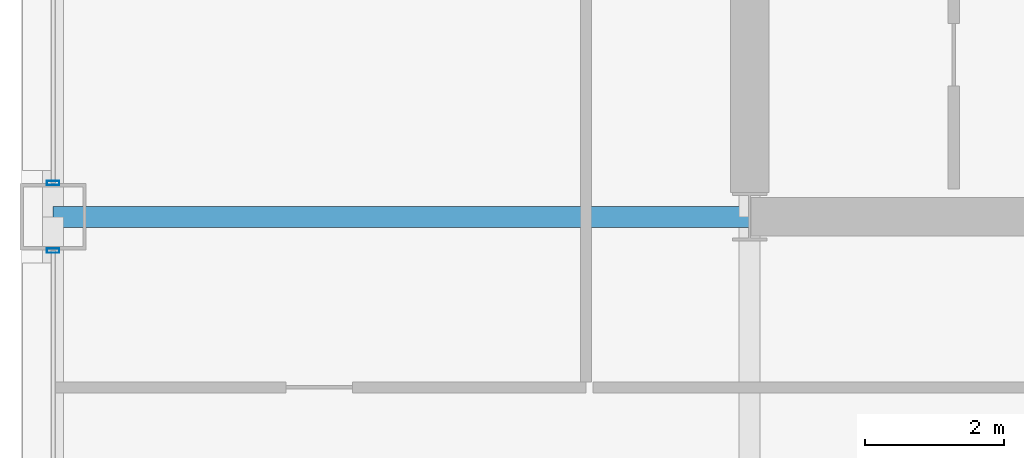
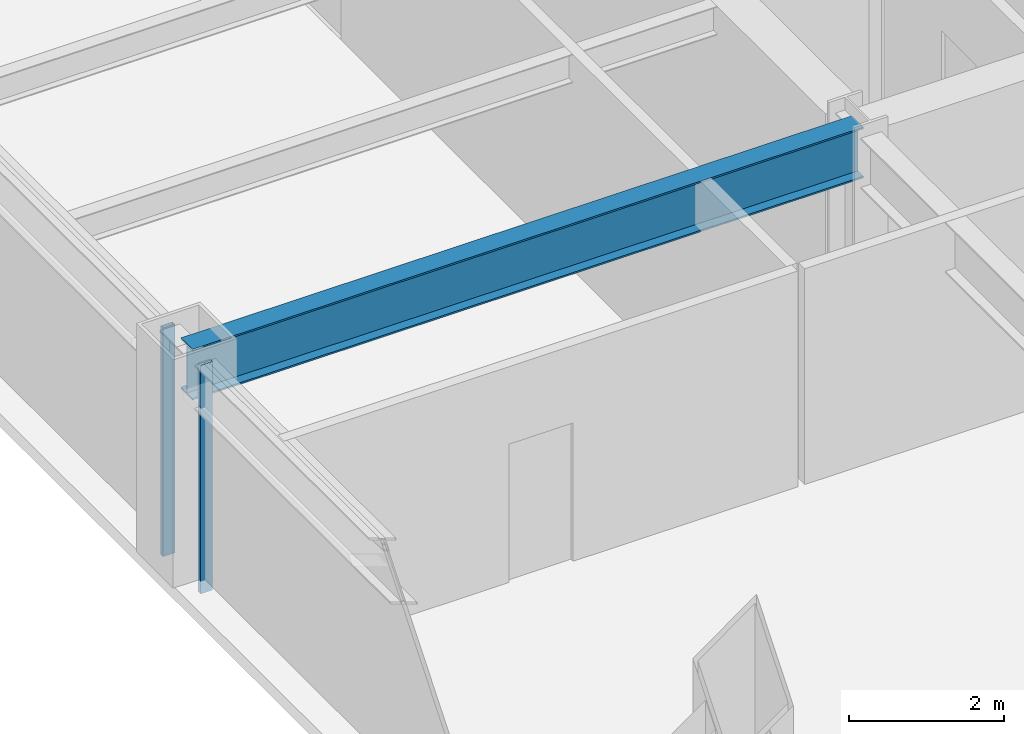
# One storey, part 4 of 31: 2 members, 1 beam, 2 elements without a shape of their own.
"""IFC4 building model written with IfcOpenShell, lengths in metres."""

from ifc_helpers import new_model, si_unit, direction, frame, origin, origin_2d, place, context, subcontext, project, spatial, hollow_rectangle, i_section, extrude, material, layer, layer_set, material_profile, profile_set, type_object, element, aggregate, save


model = new_model("IFC4")

# Units and contexts
model_context = context("Model", 3, precision=1e-05, world=origin(), true_north=direction((0.0, 1.0)))
body_context = subcontext(model_context, "Body", "Model", "MODEL_VIEW")
ifc_project = project(units=[si_unit("LENGTHUNIT", "METRE"), si_unit("AREAUNIT", "SQUARE_METRE"), si_unit("VOLUMEUNIT", "CUBIC_METRE"), si_unit("PLANEANGLEUNIT", "RADIAN"), si_unit("MASSUNIT", "GRAM", prefix="KILO")], contexts=[model_context])

# Site, building, storey
site_placement = place(None, origin())
site = spatial("IfcSite", under=ifc_project, at=site_placement, CompositionType="ELEMENT")
building_placement = place(site_placement, origin())
building = spatial("IfcBuilding", under=site, at=building_placement, Name="Brelmoor Portico Tower", CompositionType="ELEMENT")
storey_placement = place(building_placement, frame((0.0, 0.0, 31.199951171875)))
storey = spatial("IfcBuildingStorey", under=building, at=storey_placement, Name="L07", CompositionType="ELEMENT", Elevation=31.199951171875)

# Beam
ifc_material_1 = material(Name="Steel Q355B", Category="steel")
ifc_material_profile_1 = material_profile(ifc_material_1, i_section(OverallWidth=0.300048828125, OverallDepth=0.800048828125, WebThickness=0.013916015625, FlangeThickness=0.02587890625, at=origin_2d()), Name="HN 800x300x14x26")
ifc_profile_set_1 = profile_set([ifc_material_profile_1], Name="Steel Q355B")
beam_type = type_object("IfcBeamType", Name="BM-PG-800", PredefinedType="BEAM", material=ifc_profile_set_1)
beam_placement = place(storey_placement, frame((-24.550048828125, -9.75, 3.0), z_axis=(1.0, 0.0, 0.0), x_axis=(0.0, 1.0, 0.0)))
element("IfcBeam", 1, at=beam_placement, inside=storey, type_object=beam_type, Name="L07 Primary Floor Girder PG-19", PredefinedType="BEAM", context=body_context, shape_type="SweptSolid", body=[
    extrude(i_section(OverallWidth=0.300048828125, OverallDepth=0.800048828125, WebThickness=0.013916015625, FlangeThickness=0.02587890625, at=origin_2d()), origin(), (0.0, 0.0, 1.0), 10.0),
])

# Curtain wall, member
ifc_material_2 = material(Name="Anodised Aluminium Alloy 6063-T6", Category="aluminium")
ifc_layer = layer(ifc_material_2, 0.179931640625)
ifc_layer_set = layer_set([ifc_layer], Name="Anodised Aluminium Alloy 6063-T6")
curtain_wall_type = type_object("IfcCurtainWallType", Name="CW-TOWER-Z1-XB", PredefinedType="NOTDEFINED", material=ifc_layer_set)
curtain_wall_1_placement = place(storey_placement, origin())
curtain_wall_1 = element("IfcCurtainWall", 2, at=curtain_wall_1_placement, inside=storey, type_object=curtain_wall_type, Name="L07 Curtain Wall CW-L07-03-1", PredefinedType="NOTDEFINED")
ifc_material_profile_2 = material_profile(ifc_material_2, hollow_rectangle(XDim=0.06494140625, YDim=0.179931640625, WallThickness=0.00390625, at=origin_2d()), Name="ALU MULLION 65x180")
ifc_profile_set_2 = profile_set([ifc_material_profile_2], Name="Anodised Aluminium Alloy 6063-T6")
member_type = type_object("IfcMemberType", Name="MB-CW-MULL-180", PredefinedType="MULLION", material=ifc_profile_set_2)
member_1_placement = place(storey_placement, frame((-24.550048828125, -10.235107421875, -0.199951171875), z_axis=(0.0, 0.0, 1.0), x_axis=(0.0, 1.0, 0.0)))
member_1 = element("IfcMember", 3, at=member_1_placement, type_object=member_type, Name="CW-L07-03-1 Mullion 01", PredefinedType="MULLION", context=body_context, shape_type="SweptSolid", body=[
    extrude(hollow_rectangle(XDim=0.06494140625, YDim=0.179931640625, WallThickness=0.00390625, at=origin_2d()), origin(), (0.0, 0.0, 1.0), 3.60009765625),
])
aggregate(curtain_wall_1, [member_1])

curtain_wall_2_placement = place(storey_placement, origin())
curtain_wall_2 = element("IfcCurtainWall", 4, at=curtain_wall_2_placement, inside=storey, type_object=curtain_wall_type, Name="L07 Curtain Wall CW-L07-03-2", PredefinedType="NOTDEFINED")
member_2_placement = place(storey_placement, frame((-24.550048828125, -9.264892578125, -0.199951171875), z_axis=(0.0, 0.0, 1.0), x_axis=(0.0, 1.0, 0.0)))
member_2 = element("IfcMember", 5, at=member_2_placement, type_object=member_type, Name="CW-L07-03-2 Mullion 00", PredefinedType="MULLION", context=body_context, shape_type="SweptSolid", body=[
    extrude(hollow_rectangle(XDim=0.06494140625, YDim=0.179931640625, WallThickness=0.00390625, at=origin_2d()), origin(), (0.0, 0.0, 1.0), 3.60009765625),
])
aggregate(curtain_wall_2, [member_2])

save(model, "model.ifc")
